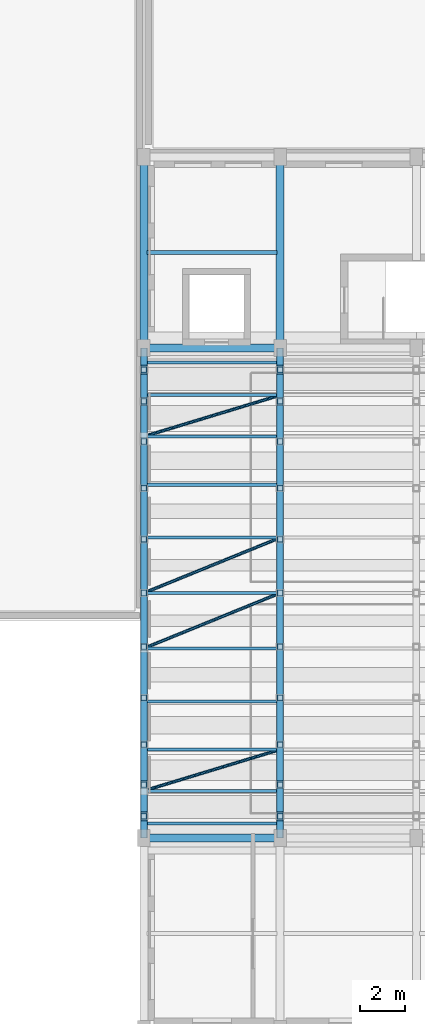
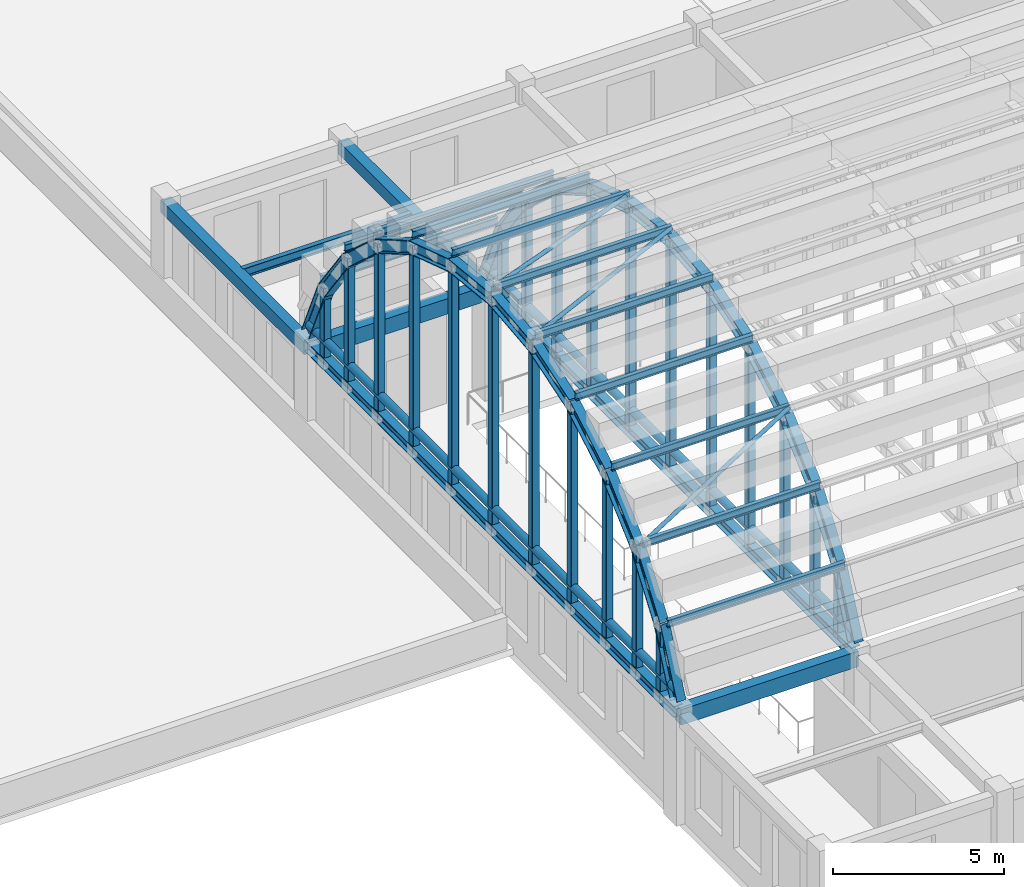
# One storey, part 3 of 46: 39 members, 31 beams.
"""IFC4 building model written with IfcOpenShell, lengths in metres."""

import ifcopenshell
import ifcopenshell.guid

model = None  # the IFC model being written
_history = None  # IfcOwnerHistory: only IFC2X3 demands one
_inside = {}  # id of a spatial element -> (the spatial element, [elements in it])
_under = {}  # id of a project, library or spatial element -> (it, [spatial elements below it])
_declared = {}  # id of a project -> (the project, [libraries it declares])
_typed = {}  # id of a type object -> (the type object, [elements of that type])
_made_of = {}  # id of a material, layer set ... -> (it, [elements and type objects made of it])


def new_model(schema):
    """Start an empty IFC model of exactly this schema.

    Asked for "IFC4X3", IfcOpenShell would pick the latest addendum, in which some entities
    have other attributes; the version numbers below select the first issue.
    IFC2X3 requires an IfcOwnerHistory on every rooted entity: one is made here for all.
    """
    global model, _history
    if schema == "IFC4X3":
        model = ifcopenshell.file(schema_version=(4, 3, 0, 0))
    else:
        model = ifcopenshell.file(schema=schema)
    _inside.clear()
    _under.clear()
    _declared.clear()
    _typed.clear()
    _made_of.clear()
    _history = None
    if model.schema == "IFC2X3":
        org = make("IfcOrganization", Name="unknown")
        user = make(
            "IfcPersonAndOrganization",
            ThePerson=make("IfcPerson", FamilyName="unknown"),
            TheOrganization=org,
        )
        app = make(
            "IfcApplication",
            ApplicationDeveloper=org,
            Version="unknown",
            ApplicationFullName="unknown",
            ApplicationIdentifier="unknown",
        )
        _history = make(
            "IfcOwnerHistory",
            OwningUser=user,
            OwningApplication=app,
            ChangeAction="ADDED",
            CreationDate=0,
        )
    return model


def make(cls, **values):
    """One entity of the class cls with the attributes given. An attribute that is None is left unset."""
    return model.create_entity(
        cls, **{name: value for name, value in values.items() if value is not None}
    )


def rooted(cls, **values):
    """An entity with a GlobalId (a new one), such as an element, a storey or a relation."""
    return make(cls, GlobalId=ifcopenshell.guid.new(), OwnerHistory=_history, **values)


def si_unit(unit_type, name, prefix=None):
    """IfcSIUnit, for example si_unit("LENGTHUNIT", "METRE", prefix="MILLI")."""
    return make("IfcSIUnit", UnitType=unit_type, Prefix=prefix, Name=name)


def assignment(units):
    """IfcUnitAssignment: the units of a project."""
    return None if units is None else make("IfcUnitAssignment", Units=units)


def point(xyz):
    """IfcCartesianPoint."""
    return None if xyz is None else make("IfcCartesianPoint", Coordinates=xyz)


def direction(xyz):
    """IfcDirection."""
    return None if xyz is None else make("IfcDirection", DirectionRatios=xyz)


def frame(location, z_axis=None, x_axis=None):
    """IfcAxis2Placement3D, a coordinate frame: its origin and axes. An axis left out is left unset."""
    return make(
        "IfcAxis2Placement3D",
        Location=point(location),
        Axis=direction(z_axis),
        RefDirection=direction(x_axis),
    )


def frame_2d(location, x_axis=None):
    """IfcAxis2Placement2D, a coordinate frame in the plane: its origin and x axis."""
    return make(
        "IfcAxis2Placement2D", Location=point(location), RefDirection=direction(x_axis)
    )


def origin():
    """The frame at (0, 0, 0) with its axes left unset."""
    return frame((0.0, 0.0, 0.0))


def origin_2d():
    """The frame at (0, 0) in the plane with its x axis left unset."""
    return frame_2d((0.0, 0.0))


def place(relative_to, where):
    """IfcLocalPlacement: puts the frame where relative to a parent placement (None: the world)."""
    return make(
        "IfcLocalPlacement", PlacementRelTo=relative_to, RelativePlacement=where
    )


def context(
    kind, dimensions, precision=None, world=None, true_north=None, identifier=None
):
    """IfcGeometricRepresentationContext, for example the 3D "Model" context."""
    return make(
        "IfcGeometricRepresentationContext",
        ContextIdentifier=identifier,
        ContextType=kind,
        CoordinateSpaceDimension=dimensions,
        Precision=precision,
        WorldCoordinateSystem=world,
        TrueNorth=true_north,
    )


def subcontext(parent, identifier, kind, view, scale=None):
    """IfcGeometricRepresentationSubContext, for example "Body" below "Model"."""
    return make(
        "IfcGeometricRepresentationSubContext",
        ContextIdentifier=identifier,
        ContextType=kind,
        ParentContext=parent,
        TargetScale=scale,
        TargetView=view,
    )


def project(units=None, contexts=None):
    """IfcProject with its units and contexts."""
    return rooted(
        "IfcProject",
        Name="project",
        RepresentationContexts=contexts,
        UnitsInContext=assignment(units),
    )


def spatial(cls, under=None, at=None, **own):
    """A site, building, storey or space (cls), placed at a placement, below another one or the project."""
    s = rooted(cls, ObjectPlacement=at, **own)
    if under is not None:
        _under.setdefault(under.id(), (under, []))[1].append(s)
    return s


def profile(cls, at=None, kind="AREA", **sizes):
    """A parametric profile (cls). Its sizes go by their IFC names, for example OverallWidth=200.0."""
    return make(cls, ProfileType=kind, Position=at, **sizes)


def rectangle(**sizes):
    """IfcRectangleProfileDef."""
    return profile("IfcRectangleProfileDef", **sizes)


def hollow_rectangle(**sizes):
    """IfcRectangleHollowProfileDef."""
    return profile("IfcRectangleHollowProfileDef", **sizes)


def hollow_circle(**sizes):
    """IfcCircleHollowProfileDef."""
    return profile("IfcCircleHollowProfileDef", **sizes)


def i_section(**sizes):
    """IfcIShapeProfileDef."""
    return profile("IfcIShapeProfileDef", **sizes)


def extrude(swept, where, along, depth):
    """IfcExtrudedAreaSolid: the profile swept, set in the frame where, extruded along a direction by depth."""
    return make(
        "IfcExtrudedAreaSolid",
        SweptArea=swept,
        Position=where,
        ExtrudedDirection=direction(along),
        Depth=depth,
    )


def shape(context_of_items, identifier, shape_type, items):
    """IfcShapeRepresentation: the items that make up one representation, for example the "Body"."""
    return make(
        "IfcShapeRepresentation",
        ContextOfItems=context_of_items,
        RepresentationIdentifier=identifier,
        RepresentationType=shape_type,
        Items=items,
    )


def material(Name=None, Category=None):
    """IfcMaterial."""
    return make("IfcMaterial", Name=Name, Category=Category)


def material_profile(
    of_material, cross_section, Name=None, Category=None, Priority=None
):
    """IfcMaterialProfile: a cross section and its material."""
    return make(
        "IfcMaterialProfile",
        Name=Name,
        Material=of_material,
        Profile=cross_section,
        Priority=Priority,
        Category=Category,
    )


def profile_set(profiles, Name=None, composite=None):
    """IfcMaterialProfileSet."""
    return make(
        "IfcMaterialProfileSet",
        Name=Name,
        MaterialProfiles=profiles,
        CompositeProfile=composite,
    )


def made_of(thing, what):
    """Note that an element or type object is made of a material, layer set ...; save() writes the relation."""
    if what is not None:
        _made_of.setdefault(what.id(), (what, []))[1].append(thing)
    return thing


def type_object(cls, material=None, **own):
    """A type object (cls), such as IfcWallType, which elements share."""
    return made_of(rooted(cls, **own), material)


def element(
    cls,
    number,
    at=None,
    inside=None,
    cuts=None,
    type_object=None,
    material=None,
    context=None,
    identifier="Body",
    shape_type=None,
    held_by="IfcProductDefinitionShape",
    body=None,
    shapes=None,
    **own,
):
    """One element of the class cls, such as IfcWall. Its Tag is "e" and its number.

    at: its placement. inside: the storey or other place that contains it. cuts: it is an
    opening in that element (IfcRelVoidsElement). A single representation is given by context,
    identifier, shape_type and body (its items); several are given by shapes. held_by: the class
    of the entity that holds the representations. save() writes the other relations.
    """
    e = rooted(cls, Tag="e%d" % number, ObjectPlacement=at, **own)
    if body is not None:
        shapes = [shape(context, identifier, shape_type, body)]
    if shapes is not None:
        e.Representation = make(held_by, Representations=shapes)
    if inside is not None:
        _inside.setdefault(inside.id(), (inside, []))[1].append(e)
    if cuts is not None:
        rooted(
            "IfcRelVoidsElement", RelatingBuildingElement=cuts, RelatedOpeningElement=e
        )
    if type_object is not None:
        _typed.setdefault(type_object.id(), (type_object, []))[1].append(e)
    return made_of(e, material)


def aggregate(whole, parts):
    """IfcRelAggregates: a whole, such as a stair, and the parts it consists of."""
    return rooted("IfcRelAggregates", RelatingObject=whole, RelatedObjects=parts)


def save(model, path):
    """Write the relations noted so far, then the file.

    IfcRelAggregates (storeys below a building ...), IfcRelContainedInSpatialStructure (elements
    in a storey), IfcRelDefinesByType, IfcRelAssociatesMaterial and IfcRelDeclares: one each for
    every whole, place, type object, material and project.
    """
    for whole, parts in _under.values():
        aggregate(whole, parts)
    for where, things in _inside.values():
        rooted(
            "IfcRelContainedInSpatialStructure",
            RelatedElements=things,
            RelatingStructure=where,
        )
    for kind, things in _typed.values():
        rooted("IfcRelDefinesByType", RelatedObjects=things, RelatingType=kind)
    for what, things in _made_of.values():
        rooted("IfcRelAssociatesMaterial", RelatedObjects=things, RelatingMaterial=what)
    for by, libraries in _declared.values():
        rooted("IfcRelDeclares", RelatingContext=by, RelatedDefinitions=libraries)
    model.write(path)


model = new_model("IFC4")

# Units and contexts
model_context = context("Model", 3, precision=1e-05, world=origin(), true_north=direction((0.0, 1.0)))
body_context = subcontext(model_context, "Body", "Model", "MODEL_VIEW")
ifc_project = project(units=[si_unit("LENGTHUNIT", "METRE"), si_unit("AREAUNIT", "SQUARE_METRE"), si_unit("VOLUMEUNIT", "CUBIC_METRE"), si_unit("PLANEANGLEUNIT", "RADIAN"), si_unit("MASSUNIT", "GRAM", prefix="KILO")], contexts=[model_context])

# Site, building, storey
site_placement = place(None, origin())
site = spatial("IfcSite", under=ifc_project, at=site_placement, CompositionType="ELEMENT")
building_placement = place(site_placement, origin())
building = spatial("IfcBuilding", under=site, at=building_placement, Name="Tarnavel Promenade Courthouse", CompositionType="ELEMENT")
storey_placement = place(building_placement, frame((0.0, 0.0, 14.39990234375)))
storey = spatial("IfcBuildingStorey", under=building, at=storey_placement, Name="L04", CompositionType="ELEMENT", Elevation=14.39990234375)

# Beams
ifc_material_1 = material(Name="Concrete C40/50", Category="concrete")
ifc_material_profile_1 = material_profile(ifc_material_1, rectangle(XDim=0.35009765625, YDim=0.449951171875, at=origin_2d()), Name="RC 350x450")
ifc_profile_set_1 = profile_set([ifc_material_profile_1], Name="Concrete C40/50")
beam_type_1 = type_object("IfcBeamType", Name="Concrete C40/50 BM-RC-350x450 (RC 350x450)", PredefinedType="BEAM", material=ifc_profile_set_1)
for number, where, z_axis, x_axis, name in (
    (1, (120.0, 58.800048828125, 3.72998046875), (0.0, 1.0, 0.0), (-1.0, 0.0, 0.0), "L04 Transverse Girder 2118"),
    (2, (126.0, 58.800048828125, 3.72998046875), (0.0, 1.0, 0.0), (-1.0, 0.0, 0.0), "L04 Transverse Girder 2120"),
):
    element("IfcBeam", number, at=place(storey_placement, frame(where, z_axis=z_axis, x_axis=x_axis)), inside=storey, type_object=beam_type_1, Name=name, PredefinedType="BEAM", context=body_context, shape_type="SweptSolid", body=[
        extrude(rectangle(XDim=0.35009765625, YDim=0.449951171875, at=origin_2d()), origin(), (0.0, 0.0, 1.0), 8.39990234375),
    ])
ifc_material_profile_2 = material_profile(ifc_material_1, rectangle(XDim=0.35009765625, YDim=0.550048828125, at=origin_2d()), Name="RC 350x550")
ifc_profile_set_2 = profile_set([ifc_material_profile_2], Name="Concrete C40/50")
beam_type_2 = type_object("IfcBeamType", Name="Concrete C40/50 BM-RC-350x550 (RC 350x550)", PredefinedType="BEAM", material=ifc_profile_set_2)
for number, where, z_axis, x_axis, name in (
    (3, (120.0, 37.199951171875, 3.68017578125), (1.0, 0.0, 0.0), (0.0, 1.0, 0.0), "L04 Primary Longitudinal Beam 1991"),
    (4, (120.0, 58.800048828125, 3.68017578125), (1.0, 0.0, 0.0), (0.0, 1.0, 0.0), "L04 Primary Longitudinal Beam 2004"),
):
    element("IfcBeam", number, at=place(storey_placement, frame(where, z_axis=z_axis, x_axis=x_axis)), inside=storey, type_object=beam_type_2, Name=name, PredefinedType="BEAM", context=body_context, shape_type="SweptSolid", body=[
        extrude(rectangle(XDim=0.35009765625, YDim=0.550048828125, at=origin_2d()), origin(), (0.0, 0.0, 1.0), 6.0),
    ])
ifc_material_2 = material(Name="Steel S355J2", Category="steel")
ifc_material_profile_3 = material_profile(ifc_material_2, i_section(OverallWidth=0.300048828125, OverallDepth=0.449951171875, WebThickness=0.013916015625, FlangeThickness=0.02587890625, FilletRadius=0.027099609375, at=origin_2d()), Name="HEB 450")
ifc_profile_set_3 = profile_set([ifc_material_profile_3], Name="Steel S355J2")
beam_type_3 = type_object("IfcBeamType", Name="Steel S355J2 BM-AR-HEB450 (HEB 450)", PredefinedType="T_BEAM", material=ifc_profile_set_3)
for number, where, z_axis, x_axis, name in (
    (5, (120.0, 37.199951171875, 4.2001953125), (0.0, 0.406453266448, 0.91367157239), (-1.0, 0.0, 0.0), "V1 Barrel Vault Arch Rib 01 Chord 01"),
    (6, (120.0, 38.1650390625, 6.36962890625), (0.0, 0.587523453946, 0.809207137304), (-1.0, 0.0, 0.0), "V1 Barrel Vault Arch Rib 01 Chord 02"),
    (7, (120.0, 39.56005859375, 8.291015625), (0.0, 0.742956629711, 0.669339559842), (-1.0, 0.0, 0.0), "V1 Barrel Vault Arch Rib 01 Chord 03"),
    (8, (120.0, 41.32421875, 9.88037109375), (0.0, 0.86595611672, 0.500119989518), (-1.0, 0.0, 0.0), "V1 Barrel Vault Arch Rib 01 Chord 04"),
    (9, (120.0, 43.38037109375, 11.06787109375), (0.0, 0.951041624123, 0.309062824012), (-1.0, 0.0, 0.0), "V1 Barrel Vault Arch Rib 01 Chord 05"),
):
    element("IfcBeam", number, at=place(storey_placement, frame(where, z_axis=z_axis, x_axis=x_axis)), inside=storey, type_object=beam_type_3, Name=name, PredefinedType="T_BEAM", context=body_context, shape_type="SweptSolid", body=[
        extrude(i_section(OverallWidth=0.300048828125, OverallDepth=0.449951171875, WebThickness=0.013916015625, FlangeThickness=0.02587890625, FilletRadius=0.027099609375, at=origin_2d()), origin(), (0.0, 0.0, 1.0), 2.37451171875),
    ])
for number, where, z_axis, x_axis, name in (
    (10, (120.0, 45.638671875, 11.8017578125), (0.0, 0.994517278414, 0.104572381322), (-1.0, 0.0, 0.0), "V1 Barrel Vault Arch Rib 01 Chord 06"),
    (11, (120.0, 48.0, 12.050048828125), (0.0, 0.994517278414, -0.104572381322), (-1.0, 0.0, 0.0), "V1 Barrel Vault Arch Rib 01 Chord 07"),
):
    element("IfcBeam", number, at=place(storey_placement, frame(where, z_axis=z_axis, x_axis=x_axis)), inside=storey, type_object=beam_type_3, Name=name, PredefinedType="T_BEAM", context=body_context, shape_type="SweptSolid", body=[
        extrude(i_section(OverallWidth=0.300048828125, OverallDepth=0.449951171875, WebThickness=0.013916015625, FlangeThickness=0.02587890625, FilletRadius=0.027099609375, at=origin_2d()), origin(), (0.0, 0.0, 1.0), 2.374267578125),
    ])
for number, where, z_axis, x_axis, name in (
    (12, (120.0, 50.361328125, 11.8017578125), (0.0, 0.951041624123, -0.309062824012), (-1.0, 0.0, 0.0), "V1 Barrel Vault Arch Rib 01 Chord 08"),
    (13, (120.0, 52.61962890625, 11.06787109375), (0.0, 0.86595611672, -0.500119989518), (-1.0, 0.0, 0.0), "V1 Barrel Vault Arch Rib 01 Chord 09"),
    (14, (120.0, 54.67578125, 9.88037109375), (0.0, 0.742956629711, -0.669339559842), (-1.0, 0.0, 0.0), "V1 Barrel Vault Arch Rib 01 Chord 10"),
    (15, (120.0, 56.43994140625, 8.291015625), (0.0, 0.587523453946, -0.809207137304), (-1.0, 0.0, 0.0), "V1 Barrel Vault Arch Rib 01 Chord 11"),
    (16, (120.0, 57.8349609375, 6.36962890625), (0.0, 0.406453266448, -0.91367157239), (-1.0, 0.0, 0.0), "V1 Barrel Vault Arch Rib 01 Chord 12"),
    (17, (126.0, 37.199951171875, 4.2001953125), (0.0, 0.406453266448, 0.91367157239), (-1.0, 0.0, 0.0), "V1 Barrel Vault Arch Rib 02 Chord 01"),
    (18, (126.0, 38.1650390625, 6.36962890625), (0.0, 0.587523453946, 0.809207137304), (-1.0, 0.0, 0.0), "V1 Barrel Vault Arch Rib 02 Chord 02"),
    (19, (126.0, 39.56005859375, 8.291015625), (0.0, 0.742956629711, 0.669339559842), (-1.0, 0.0, 0.0), "V1 Barrel Vault Arch Rib 02 Chord 03"),
    (20, (126.0, 41.32421875, 9.88037109375), (0.0, 0.86595611672, 0.500119989518), (-1.0, 0.0, 0.0), "V1 Barrel Vault Arch Rib 02 Chord 04"),
    (21, (126.0, 43.38037109375, 11.06787109375), (0.0, 0.951041624123, 0.309062824012), (-1.0, 0.0, 0.0), "V1 Barrel Vault Arch Rib 02 Chord 05"),
):
    element("IfcBeam", number, at=place(storey_placement, frame(where, z_axis=z_axis, x_axis=x_axis)), inside=storey, type_object=beam_type_3, Name=name, PredefinedType="T_BEAM", context=body_context, shape_type="SweptSolid", body=[
        extrude(i_section(OverallWidth=0.300048828125, OverallDepth=0.449951171875, WebThickness=0.013916015625, FlangeThickness=0.02587890625, FilletRadius=0.027099609375, at=origin_2d()), origin(), (0.0, 0.0, 1.0), 2.37451171875),
    ])
for number, where, z_axis, x_axis, name in (
    (22, (126.0, 45.638671875, 11.8017578125), (0.0, 0.994517278414, 0.104572381322), (-1.0, 0.0, 0.0), "V1 Barrel Vault Arch Rib 02 Chord 06"),
    (23, (126.0, 48.0, 12.050048828125), (0.0, 0.994517278414, -0.104572381322), (-1.0, 0.0, 0.0), "V1 Barrel Vault Arch Rib 02 Chord 07"),
):
    element("IfcBeam", number, at=place(storey_placement, frame(where, z_axis=z_axis, x_axis=x_axis)), inside=storey, type_object=beam_type_3, Name=name, PredefinedType="T_BEAM", context=body_context, shape_type="SweptSolid", body=[
        extrude(i_section(OverallWidth=0.300048828125, OverallDepth=0.449951171875, WebThickness=0.013916015625, FlangeThickness=0.02587890625, FilletRadius=0.027099609375, at=origin_2d()), origin(), (0.0, 0.0, 1.0), 2.374267578125),
    ])
for number, where, z_axis, x_axis, name in (
    (24, (126.0, 50.361328125, 11.8017578125), (0.0, 0.951041624123, -0.309062824012), (-1.0, 0.0, 0.0), "V1 Barrel Vault Arch Rib 02 Chord 08"),
    (25, (126.0, 52.61962890625, 11.06787109375), (0.0, 0.86595611672, -0.500119989518), (-1.0, 0.0, 0.0), "V1 Barrel Vault Arch Rib 02 Chord 09"),
    (26, (126.0, 54.67578125, 9.88037109375), (0.0, 0.742956629711, -0.669339559842), (-1.0, 0.0, 0.0), "V1 Barrel Vault Arch Rib 02 Chord 10"),
    (27, (126.0, 56.43994140625, 8.291015625), (0.0, 0.587523453946, -0.809207137304), (-1.0, 0.0, 0.0), "V1 Barrel Vault Arch Rib 02 Chord 11"),
    (28, (126.0, 57.8349609375, 6.36962890625), (0.0, 0.406453266448, -0.91367157239), (-1.0, 0.0, 0.0), "V1 Barrel Vault Arch Rib 02 Chord 12"),
):
    element("IfcBeam", number, at=place(storey_placement, frame(where, z_axis=z_axis, x_axis=x_axis)), inside=storey, type_object=beam_type_3, Name=name, PredefinedType="T_BEAM", context=body_context, shape_type="SweptSolid", body=[
        extrude(i_section(OverallWidth=0.300048828125, OverallDepth=0.449951171875, WebThickness=0.013916015625, FlangeThickness=0.02587890625, FilletRadius=0.027099609375, at=origin_2d()), origin(), (0.0, 0.0, 1.0), 2.37451171875),
    ])
ifc_material_profile_4 = material_profile(ifc_material_2, i_section(OverallWidth=0.300048828125, OverallDepth=0.39990234375, WebThickness=0.013427734375, FlangeThickness=0.02392578125, FilletRadius=0.027099609375, at=origin_2d()), Name="HEB 400")
ifc_profile_set_4 = profile_set([ifc_material_profile_4], Name="Steel S355J2")
beam_type_4 = type_object("IfcBeamType", Name="Steel S355J2 BM-ST-HEB400 (HEB 400)", PredefinedType="T_BEAM", material=ifc_profile_set_4)
for number, where, z_axis, x_axis, name in (
    (29, (120.0, 37.199951171875, 3.820068359375), (0.0, 1.0, 0.0), (-1.0, 0.0, 0.0), "V1 Barrel Vault Tie Girder 01"),
    (30, (126.0, 37.199951171875, 3.820068359375), (0.0, 1.0, 0.0), (-1.0, 0.0, 0.0), "V1 Barrel Vault Tie Girder 02"),
):
    element("IfcBeam", number, at=place(storey_placement, frame(where, z_axis=z_axis, x_axis=x_axis)), inside=storey, type_object=beam_type_4, Name=name, PredefinedType="T_BEAM", context=body_context, shape_type="SweptSolid", body=[
        extrude(i_section(OverallWidth=0.300048828125, OverallDepth=0.39990234375, WebThickness=0.013427734375, FlangeThickness=0.02392578125, FilletRadius=0.027099609375, at=origin_2d()), origin(), (0.0, 0.0, 1.0), 21.60009765625),
    ])
ifc_material_profile_5 = material_profile(ifc_material_2, i_section(OverallWidth=0.159912109375, OverallDepth=0.330078125, WebThickness=0.007568359375, FlangeThickness=0.011474609375, FilletRadius=0.01806640625, at=origin_2d()), Name="IPE 330")
ifc_profile_set_5 = profile_set([ifc_material_profile_5], Name="Steel S355J2")
beam_type_5 = type_object("IfcBeamType", Name="Steel S355J2 BM-ST-IPE330 (IPE 330)", PredefinedType="JOIST", material=ifc_profile_set_5)
beam_placement = place(storey_placement, frame((120.14501953125, 63.0, 3.7900390625), z_axis=(1.0, 0.0, 0.0), x_axis=(0.0, 1.0, 0.0)))
element("IfcBeam", 31, at=beam_placement, inside=storey, type_object=beam_type_5, Name="L04 Secondary Floor Rib 2201", PredefinedType="JOIST", context=body_context, shape_type="SweptSolid", body=[
    extrude(i_section(OverallWidth=0.159912109375, OverallDepth=0.330078125, WebThickness=0.007568359375, FlangeThickness=0.011474609375, FilletRadius=0.01806640625, at=origin_2d()), origin(), (0.0, 0.0, 1.0), 5.7099609375),
])

# Members
ifc_material_profile_6 = material_profile(ifc_material_2, hollow_circle(Radius=0.06982421875, WallThickness=0.008056640625, at=origin_2d()), Name="CHS 139.7x8")
ifc_profile_set_6 = profile_set([ifc_material_profile_6], Name="Steel S355J2")
member_type_1 = type_object("IfcMemberType", Name="Steel S355J2 MEM-BR-CHS140 (CHS 139.7x8)", PredefinedType="BRACE", material=ifc_profile_set_6)
member_1_placement = place(storey_placement, frame((120.0, 39.284912109375, 8.53857421875), z_axis=(0.925695313139, 0.281068458115, 0.253157478825), x_axis=(-0.290532531252, 0.95686511499, 0.0)))
element("IfcMember", 32, at=member_1_placement, inside=storey, type_object=member_type_1, Name="V1 Barrel Vault Roof Brace 01-02", PredefinedType="BRACE", context=body_context, shape_type="SweptSolid", body=[
    extrude(hollow_circle(Radius=0.06982421875, WallThickness=0.008056640625, at=origin_2d()), origin(), (0.0, 0.0, 1.0), 6.481689453125),
])
for number, where, z_axis, x_axis, name in (
    (33, (120.16650390625, 45.62939453125, 12.1708984375), (0.925700122117, 0.376184321828, 0.039555529618), (-0.376478964134, 0.926425166737, 0.0), "V1 Barrel Vault Roof Brace 01-05"),
    (34, (120.0, 48.0, 12.420166015625), (0.925700122117, 0.376184321828, -0.039555529618), (-0.376478964134, 0.926425166737, 0.0), "V1 Barrel Vault Roof Brace 01-06"),
):
    element("IfcMember", number, at=place(storey_placement, frame(where, z_axis=z_axis, x_axis=x_axis)), inside=storey, type_object=member_type_1, Name=name, PredefinedType="BRACE", context=body_context, shape_type="SweptSolid", body=[
        extrude(hollow_circle(Radius=0.06982421875, WallThickness=0.008056640625, at=origin_2d()), origin(), (0.0, 0.0, 1.0), 6.3017578125),
    ])
member_2_placement = place(storey_placement, frame((120.0, 54.893310546875, 10.179443359375), z_axis=(0.925695313139, 0.281068458115, -0.253157478825), x_axis=(-0.290532531252, 0.95686511499, 0.0)))
element("IfcMember", 35, at=member_2_placement, inside=storey, type_object=member_type_1, Name="V1 Barrel Vault Roof Brace 01-09", PredefinedType="BRACE", context=body_context, shape_type="SweptSolid", body=[
    extrude(hollow_circle(Radius=0.06982421875, WallThickness=0.008056640625, at=origin_2d()), origin(), (0.0, 0.0, 1.0), 6.481689453125),
])
ifc_material_profile_7 = material_profile(ifc_material_2, i_section(OverallWidth=0.135009765625, OverallDepth=0.27001953125, WebThickness=0.006591796875, FlangeThickness=0.01025390625, FilletRadius=0.014892578125, at=origin_2d()), Name="IPE 270")
ifc_profile_set_7 = profile_set([ifc_material_profile_7], Name="Steel S355J2")
member_type_2 = type_object("IfcMemberType", Name="Steel S355J2 MEM-PUR-IPE270 (IPE 270)", PredefinedType="PURLIN", material=ifc_profile_set_7)
for number, where, z_axis, x_axis, name in (
    (36, (120.0, 37.844482421875, 6.554443359375), (1.0, 0.0, 0.0), (0.0, 1.0, 0.0), "V1 Barrel Vault Purlin 01-01"),
    (37, (120.0, 39.284912109375, 8.53857421875), (1.0, 0.0, 0.0), (0.0, 1.0, 0.0), "V1 Barrel Vault Purlin 01-02"),
    (38, (120.0, 41.106689453125, 10.179443359375), (1.0, 0.0, 0.0), (0.0, 1.0, 0.0), "V1 Barrel Vault Purlin 01-03"),
    (39, (120.0, 43.229736328125, 11.40576171875), (1.0, 0.0, 0.0), (0.0, 1.0, 0.0), "V1 Barrel Vault Purlin 01-04"),
    (40, (120.0, 45.5615234375, 12.163818359375), (1.0, 0.0, 0.0), (0.0, 1.0, 0.0), "V1 Barrel Vault Purlin 01-05"),
    (41, (120.0, 48.0, 12.420166015625), (1.0, 0.0, 0.0), (0.0, 1.0, 0.0), "V1 Barrel Vault Purlin 01-06"),
    (42, (120.0, 50.4384765625, 12.163818359375), (1.0, 0.0, 0.0), (0.0, 1.0, 0.0), "V1 Barrel Vault Purlin 01-07"),
    (43, (120.0, 52.770263671875, 11.40576171875), (1.0, 0.0, 0.0), (0.0, 1.0, 0.0), "V1 Barrel Vault Purlin 01-08"),
    (44, (120.0, 54.893310546875, 10.179443359375), (1.0, 0.0, 0.0), (0.0, 1.0, 0.0), "V1 Barrel Vault Purlin 01-09"),
    (45, (120.0, 56.715087890625, 8.53857421875), (1.0, 0.0, 0.0), (0.0, 1.0, 0.0), "V1 Barrel Vault Purlin 01-10"),
    (46, (120.0, 58.155517578125, 6.554443359375), (1.0, 0.0, 0.0), (0.0, 1.0, 0.0), "V1 Barrel Vault Purlin 01-11"),
):
    element("IfcMember", number, at=place(storey_placement, frame(where, z_axis=z_axis, x_axis=x_axis)), inside=storey, type_object=member_type_2, Name=name, PredefinedType="PURLIN", context=body_context, shape_type="SweptSolid", body=[
        extrude(i_section(OverallWidth=0.135009765625, OverallDepth=0.27001953125, WebThickness=0.006591796875, FlangeThickness=0.01025390625, FilletRadius=0.014892578125, at=origin_2d()), origin(), (0.0, 0.0, 1.0), 6.0),
    ])
ifc_material_profile_8 = material_profile(ifc_material_2, hollow_rectangle(XDim=0.25, YDim=0.25, WallThickness=0.012451171875, InnerFilletRadius=0.012451171875, OuterFilletRadius=0.02490234375, at=origin_2d()), Name="SHS 250x250x12.5")
ifc_profile_set_8 = profile_set([ifc_material_profile_8], Name="Steel S355J2")
member_type_3 = type_object("IfcMemberType", Name="Steel S355J2 MEM-STR-SHS250 (SHS 250x250x12.5)", PredefinedType="STRUT", material=ifc_profile_set_8)
member_3_placement = place(storey_placement, frame((120.0, 38.1650390625, 3.820068359375), z_axis=(0.0, 0.0, 1.0), x_axis=(1.0, 0.0, 0.0)))
element("IfcMember", 47, at=member_3_placement, inside=storey, type_object=member_type_3, Name="V1 Vault Arch Web Strut 01-01", PredefinedType="STRUT", context=body_context, shape_type="SweptSolid", body=[
    extrude(hollow_rectangle(XDim=0.25, YDim=0.25, WallThickness=0.012451171875, InnerFilletRadius=0.012451171875, OuterFilletRadius=0.02490234375, at=origin_2d()), origin(), (0.0, 0.0, 1.0), 2.549560546875),
])
member_4_placement = place(storey_placement, frame((120.0, 39.56005859375, 3.820068359375), z_axis=(0.0, 0.0, 1.0), x_axis=(1.0, 0.0, 0.0)))
element("IfcMember", 48, at=member_4_placement, inside=storey, type_object=member_type_3, Name="V1 Vault Arch Web Strut 01-02", PredefinedType="STRUT", context=body_context, shape_type="SweptSolid", body=[
    extrude(hollow_rectangle(XDim=0.25, YDim=0.25, WallThickness=0.012451171875, InnerFilletRadius=0.012451171875, OuterFilletRadius=0.02490234375, at=origin_2d()), origin(), (0.0, 0.0, 1.0), 4.470947265625),
])
member_5_placement = place(storey_placement, frame((120.0, 41.32421875, 3.820068359375), z_axis=(0.0, 0.0, 1.0), x_axis=(1.0, 0.0, 0.0)))
element("IfcMember", 49, at=member_5_placement, inside=storey, type_object=member_type_3, Name="V1 Vault Arch Web Strut 01-03", PredefinedType="STRUT", context=body_context, shape_type="SweptSolid", body=[
    extrude(hollow_rectangle(XDim=0.25, YDim=0.25, WallThickness=0.012451171875, InnerFilletRadius=0.012451171875, OuterFilletRadius=0.02490234375, at=origin_2d()), origin(), (0.0, 0.0, 1.0), 6.060302734375),
])
member_6_placement = place(storey_placement, frame((120.0, 43.38037109375, 3.820068359375), z_axis=(0.0, 0.0, 1.0), x_axis=(1.0, 0.0, 0.0)))
element("IfcMember", 50, at=member_6_placement, inside=storey, type_object=member_type_3, Name="V1 Vault Arch Web Strut 01-04", PredefinedType="STRUT", context=body_context, shape_type="SweptSolid", body=[
    extrude(hollow_rectangle(XDim=0.25, YDim=0.25, WallThickness=0.012451171875, InnerFilletRadius=0.012451171875, OuterFilletRadius=0.02490234375, at=origin_2d()), origin(), (0.0, 0.0, 1.0), 7.247802734375),
])
member_7_placement = place(storey_placement, frame((120.0, 45.638671875, 3.820068359375), z_axis=(0.0, 0.0, 1.0), x_axis=(1.0, 0.0, 0.0)))
element("IfcMember", 51, at=member_7_placement, inside=storey, type_object=member_type_3, Name="V1 Vault Arch Web Strut 01-05", PredefinedType="STRUT", context=body_context, shape_type="SweptSolid", body=[
    extrude(hollow_rectangle(XDim=0.25, YDim=0.25, WallThickness=0.012451171875, InnerFilletRadius=0.012451171875, OuterFilletRadius=0.02490234375, at=origin_2d()), origin(), (0.0, 0.0, 1.0), 7.981689453125),
])
member_8_placement = place(storey_placement, frame((120.0, 48.0, 3.820068359375), z_axis=(0.0, 0.0, 1.0), x_axis=(1.0, 0.0, 0.0)))
element("IfcMember", 52, at=member_8_placement, inside=storey, type_object=member_type_3, Name="V1 Vault Arch Web Strut 01-06", PredefinedType="STRUT", context=body_context, shape_type="SweptSolid", body=[
    extrude(hollow_rectangle(XDim=0.25, YDim=0.25, WallThickness=0.012451171875, InnerFilletRadius=0.012451171875, OuterFilletRadius=0.02490234375, at=origin_2d()), origin(), (0.0, 0.0, 1.0), 8.22998046875),
])
member_9_placement = place(storey_placement, frame((120.0, 50.361328125, 3.820068359375), z_axis=(0.0, 0.0, 1.0), x_axis=(1.0, 0.0, 0.0)))
element("IfcMember", 53, at=member_9_placement, inside=storey, type_object=member_type_3, Name="V1 Vault Arch Web Strut 01-07", PredefinedType="STRUT", context=body_context, shape_type="SweptSolid", body=[
    extrude(hollow_rectangle(XDim=0.25, YDim=0.25, WallThickness=0.012451171875, InnerFilletRadius=0.012451171875, OuterFilletRadius=0.02490234375, at=origin_2d()), origin(), (0.0, 0.0, 1.0), 7.981689453125),
])
member_10_placement = place(storey_placement, frame((120.0, 52.61962890625, 3.820068359375), z_axis=(0.0, 0.0, 1.0), x_axis=(1.0, 0.0, 0.0)))
element("IfcMember", 54, at=member_10_placement, inside=storey, type_object=member_type_3, Name="V1 Vault Arch Web Strut 01-08", PredefinedType="STRUT", context=body_context, shape_type="SweptSolid", body=[
    extrude(hollow_rectangle(XDim=0.25, YDim=0.25, WallThickness=0.012451171875, InnerFilletRadius=0.012451171875, OuterFilletRadius=0.02490234375, at=origin_2d()), origin(), (0.0, 0.0, 1.0), 7.247802734375),
])
member_11_placement = place(storey_placement, frame((120.0, 54.67578125, 3.820068359375), z_axis=(0.0, 0.0, 1.0), x_axis=(1.0, 0.0, 0.0)))
element("IfcMember", 55, at=member_11_placement, inside=storey, type_object=member_type_3, Name="V1 Vault Arch Web Strut 01-09", PredefinedType="STRUT", context=body_context, shape_type="SweptSolid", body=[
    extrude(hollow_rectangle(XDim=0.25, YDim=0.25, WallThickness=0.012451171875, InnerFilletRadius=0.012451171875, OuterFilletRadius=0.02490234375, at=origin_2d()), origin(), (0.0, 0.0, 1.0), 6.060302734375),
])
member_12_placement = place(storey_placement, frame((120.0, 56.43994140625, 3.820068359375), z_axis=(0.0, 0.0, 1.0), x_axis=(1.0, 0.0, 0.0)))
element("IfcMember", 56, at=member_12_placement, inside=storey, type_object=member_type_3, Name="V1 Vault Arch Web Strut 01-10", PredefinedType="STRUT", context=body_context, shape_type="SweptSolid", body=[
    extrude(hollow_rectangle(XDim=0.25, YDim=0.25, WallThickness=0.012451171875, InnerFilletRadius=0.012451171875, OuterFilletRadius=0.02490234375, at=origin_2d()), origin(), (0.0, 0.0, 1.0), 4.470947265625),
])
for number, where, z_axis, x_axis, name in (
    (57, (120.0, 57.8349609375, 3.820068359375), (0.0, 0.0, 1.0), (1.0, 0.0, 0.0), "V1 Vault Arch Web Strut 01-11"),
    (58, (126.0, 38.1650390625, 3.820068359375), (0.0, 0.0, 1.0), (1.0, 0.0, 0.0), "V1 Vault Arch Web Strut 02-01"),
):
    element("IfcMember", number, at=place(storey_placement, frame(where, z_axis=z_axis, x_axis=x_axis)), inside=storey, type_object=member_type_3, Name=name, PredefinedType="STRUT", context=body_context, shape_type="SweptSolid", body=[
        extrude(hollow_rectangle(XDim=0.25, YDim=0.25, WallThickness=0.012451171875, InnerFilletRadius=0.012451171875, OuterFilletRadius=0.02490234375, at=origin_2d()), origin(), (0.0, 0.0, 1.0), 2.549560546875),
    ])
member_13_placement = place(storey_placement, frame((126.0, 39.56005859375, 3.820068359375), z_axis=(0.0, 0.0, 1.0), x_axis=(1.0, 0.0, 0.0)))
element("IfcMember", 59, at=member_13_placement, inside=storey, type_object=member_type_3, Name="V1 Vault Arch Web Strut 02-02", PredefinedType="STRUT", context=body_context, shape_type="SweptSolid", body=[
    extrude(hollow_rectangle(XDim=0.25, YDim=0.25, WallThickness=0.012451171875, InnerFilletRadius=0.012451171875, OuterFilletRadius=0.02490234375, at=origin_2d()), origin(), (0.0, 0.0, 1.0), 4.470947265625),
])
member_14_placement = place(storey_placement, frame((126.0, 41.32421875, 3.820068359375), z_axis=(0.0, 0.0, 1.0), x_axis=(1.0, 0.0, 0.0)))
element("IfcMember", 60, at=member_14_placement, inside=storey, type_object=member_type_3, Name="V1 Vault Arch Web Strut 02-03", PredefinedType="STRUT", context=body_context, shape_type="SweptSolid", body=[
    extrude(hollow_rectangle(XDim=0.25, YDim=0.25, WallThickness=0.012451171875, InnerFilletRadius=0.012451171875, OuterFilletRadius=0.02490234375, at=origin_2d()), origin(), (0.0, 0.0, 1.0), 6.060302734375),
])
member_15_placement = place(storey_placement, frame((126.0, 43.38037109375, 3.820068359375), z_axis=(0.0, 0.0, 1.0), x_axis=(1.0, 0.0, 0.0)))
element("IfcMember", 61, at=member_15_placement, inside=storey, type_object=member_type_3, Name="V1 Vault Arch Web Strut 02-04", PredefinedType="STRUT", context=body_context, shape_type="SweptSolid", body=[
    extrude(hollow_rectangle(XDim=0.25, YDim=0.25, WallThickness=0.012451171875, InnerFilletRadius=0.012451171875, OuterFilletRadius=0.02490234375, at=origin_2d()), origin(), (0.0, 0.0, 1.0), 7.247802734375),
])
member_16_placement = place(storey_placement, frame((126.0, 45.638671875, 3.820068359375), z_axis=(0.0, 0.0, 1.0), x_axis=(1.0, 0.0, 0.0)))
element("IfcMember", 62, at=member_16_placement, inside=storey, type_object=member_type_3, Name="V1 Vault Arch Web Strut 02-05", PredefinedType="STRUT", context=body_context, shape_type="SweptSolid", body=[
    extrude(hollow_rectangle(XDim=0.25, YDim=0.25, WallThickness=0.012451171875, InnerFilletRadius=0.012451171875, OuterFilletRadius=0.02490234375, at=origin_2d()), origin(), (0.0, 0.0, 1.0), 7.981689453125),
])
member_17_placement = place(storey_placement, frame((126.0, 48.0, 3.820068359375), z_axis=(0.0, 0.0, 1.0), x_axis=(1.0, 0.0, 0.0)))
element("IfcMember", 63, at=member_17_placement, inside=storey, type_object=member_type_3, Name="V1 Vault Arch Web Strut 02-06", PredefinedType="STRUT", context=body_context, shape_type="SweptSolid", body=[
    extrude(hollow_rectangle(XDim=0.25, YDim=0.25, WallThickness=0.012451171875, InnerFilletRadius=0.012451171875, OuterFilletRadius=0.02490234375, at=origin_2d()), origin(), (0.0, 0.0, 1.0), 8.22998046875),
])
member_18_placement = place(storey_placement, frame((126.0, 50.361328125, 3.820068359375), z_axis=(0.0, 0.0, 1.0), x_axis=(1.0, 0.0, 0.0)))
element("IfcMember", 64, at=member_18_placement, inside=storey, type_object=member_type_3, Name="V1 Vault Arch Web Strut 02-07", PredefinedType="STRUT", context=body_context, shape_type="SweptSolid", body=[
    extrude(hollow_rectangle(XDim=0.25, YDim=0.25, WallThickness=0.012451171875, InnerFilletRadius=0.012451171875, OuterFilletRadius=0.02490234375, at=origin_2d()), origin(), (0.0, 0.0, 1.0), 7.981689453125),
])
member_19_placement = place(storey_placement, frame((126.0, 52.61962890625, 3.820068359375), z_axis=(0.0, 0.0, 1.0), x_axis=(1.0, 0.0, 0.0)))
element("IfcMember", 65, at=member_19_placement, inside=storey, type_object=member_type_3, Name="V1 Vault Arch Web Strut 02-08", PredefinedType="STRUT", context=body_context, shape_type="SweptSolid", body=[
    extrude(hollow_rectangle(XDim=0.25, YDim=0.25, WallThickness=0.012451171875, InnerFilletRadius=0.012451171875, OuterFilletRadius=0.02490234375, at=origin_2d()), origin(), (0.0, 0.0, 1.0), 7.247802734375),
])
member_20_placement = place(storey_placement, frame((126.0, 54.67578125, 3.820068359375), z_axis=(0.0, 0.0, 1.0), x_axis=(1.0, 0.0, 0.0)))
element("IfcMember", 66, at=member_20_placement, inside=storey, type_object=member_type_3, Name="V1 Vault Arch Web Strut 02-09", PredefinedType="STRUT", context=body_context, shape_type="SweptSolid", body=[
    extrude(hollow_rectangle(XDim=0.25, YDim=0.25, WallThickness=0.012451171875, InnerFilletRadius=0.012451171875, OuterFilletRadius=0.02490234375, at=origin_2d()), origin(), (0.0, 0.0, 1.0), 6.060302734375),
])
member_21_placement = place(storey_placement, frame((126.0, 56.43994140625, 3.820068359375), z_axis=(0.0, 0.0, 1.0), x_axis=(1.0, 0.0, 0.0)))
element("IfcMember", 67, at=member_21_placement, inside=storey, type_object=member_type_3, Name="V1 Vault Arch Web Strut 02-10", PredefinedType="STRUT", context=body_context, shape_type="SweptSolid", body=[
    extrude(hollow_rectangle(XDim=0.25, YDim=0.25, WallThickness=0.012451171875, InnerFilletRadius=0.012451171875, OuterFilletRadius=0.02490234375, at=origin_2d()), origin(), (0.0, 0.0, 1.0), 4.470947265625),
])
member_22_placement = place(storey_placement, frame((126.0, 57.8349609375, 3.820068359375), z_axis=(0.0, 0.0, 1.0), x_axis=(1.0, 0.0, 0.0)))
element("IfcMember", 68, at=member_22_placement, inside=storey, type_object=member_type_3, Name="V1 Vault Arch Web Strut 02-11", PredefinedType="STRUT", context=body_context, shape_type="SweptSolid", body=[
    extrude(hollow_rectangle(XDim=0.25, YDim=0.25, WallThickness=0.012451171875, InnerFilletRadius=0.012451171875, OuterFilletRadius=0.02490234375, at=origin_2d()), origin(), (0.0, 0.0, 1.0), 2.549560546875),
])
ifc_material_profile_9 = material_profile(ifc_material_2, hollow_circle(Radius=0.136474609375, WallThickness=0.012451171875, at=origin_2d()), Name="CHS 273x12.5")
ifc_profile_set_9 = profile_set([ifc_material_profile_9], Name="Steel S355J2")
member_type_4 = type_object("IfcMemberType", Name="Steel S355J2 MEM-TIE-CHS273 (CHS 273x12.5)", PredefinedType="CHORD", material=ifc_profile_set_9)
for number, where, z_axis, x_axis, name in (
    (69, (120.0, 37.199951171875, 4.5400390625), (0.0, 1.0, 0.0), (-1.0, 0.0, 0.0), "V1 Barrel Vault Springline Tie Rod 01"),
    (70, (126.0, 37.199951171875, 4.5400390625), (0.0, 1.0, 0.0), (-1.0, 0.0, 0.0), "V1 Barrel Vault Springline Tie Rod 02"),
):
    element("IfcMember", number, at=place(storey_placement, frame(where, z_axis=z_axis, x_axis=x_axis)), inside=storey, type_object=member_type_4, Name=name, PredefinedType="CHORD", context=body_context, shape_type="SweptSolid", body=[
        extrude(hollow_circle(Radius=0.136474609375, WallThickness=0.012451171875, at=origin_2d()), origin(), (0.0, 0.0, 1.0), 21.60009765625),
    ])

save(model, "model.ifc")
